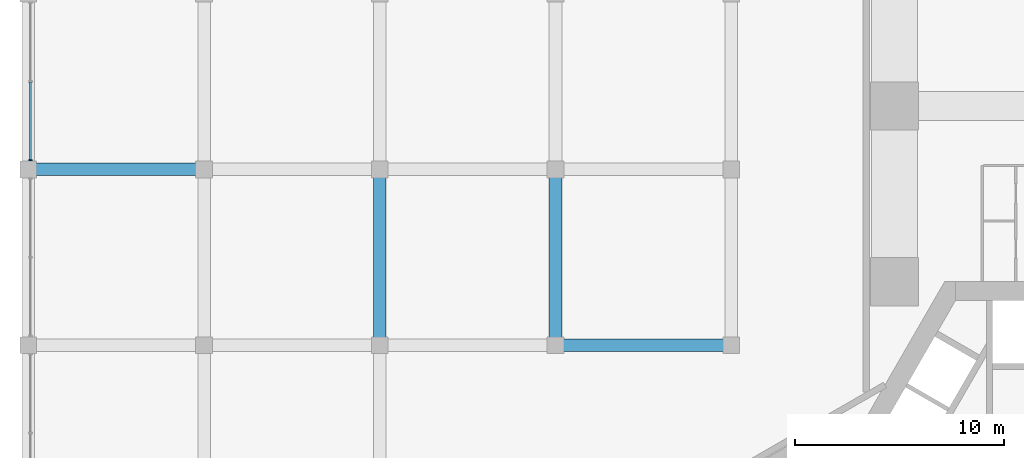
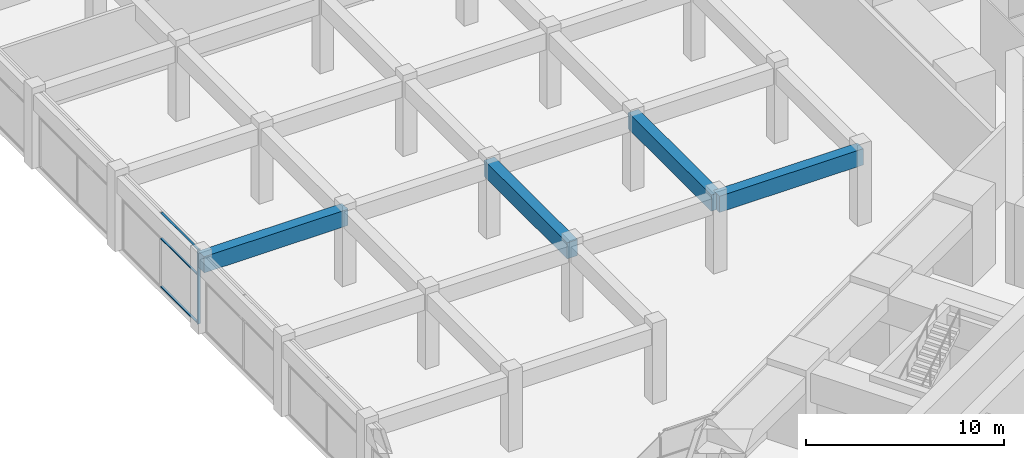
# One storey, part 8 of 33: 4 beams, 4 members, 1 element without a shape of its own.
"""IFC4 building model written with IfcOpenShell, lengths in metres."""

from ifc_helpers import new_model, si_unit, direction, frame, origin, origin_2d, place, context, subcontext, project, spatial, rectangle, extrude, material, material_profile, profile_set, type_object, element, aggregate, save


model = new_model("IFC4")

# Units and contexts
model_context = context("Model", 3, precision=1e-05, world=origin(), true_north=direction((0.0, 1.0)))
body_context = subcontext(model_context, "Body", "Model", "MODEL_VIEW")
ifc_project = project(units=[si_unit("LENGTHUNIT", "METRE"), si_unit("AREAUNIT", "SQUARE_METRE"), si_unit("VOLUMEUNIT", "CUBIC_METRE"), si_unit("PLANEANGLEUNIT", "RADIAN"), si_unit("MASSUNIT", "GRAM", prefix="KILO")], contexts=[model_context])

# Site, building, storey
site_placement = place(None, origin())
site = spatial("IfcSite", under=ifc_project, at=site_placement, CompositionType="ELEMENT")
building_placement = place(site_placement, origin())
building = spatial("IfcBuilding", under=site, at=building_placement, Name="Impinga Residences", CompositionType="ELEMENT")
storey_placement = place(building_placement, frame((0.0, 0.0, 21.0)))
storey = spatial("IfcBuildingStorey", under=building, at=storey_placement, Name="L04", CompositionType="ELEMENT", Elevation=21.0)

# Curtain wall, members
ifc_material_1 = material(Name="Aluminium stick curtain wall", Category="aluminium")
curtain_wall_type = type_object("IfcCurtainWallType", Name="CW1 podium amenity curtain wall", PredefinedType="USERDEFINED", material=ifc_material_1)
curtain_wall_placement = place(storey_placement, origin())
curtain_wall = element("IfcCurtainWall", 1, at=curtain_wall_placement, inside=storey, type_object=curtain_wall_type, Name="Curtain wall CW1 L04", ObjectType="STICK CURTAIN WALL", PredefinedType="USERDEFINED")
ifc_material_2 = material(Name="Aluminium mullion", Category="aluminium")
ifc_material_profile_1 = material_profile(ifc_material_2, rectangle(XDim=0.06005859375, YDim=0.179931640625, at=origin_2d()), Name="60x180 mullion")
ifc_profile_set_1 = profile_set([ifc_material_profile_1], Name="Aluminium mullion")
member_type_1 = type_object("IfcMemberType", Name="CW1-M mullion 60x180", PredefinedType="MULLION", material=ifc_profile_set_1)
member_1_placement = place(storey_placement, frame((-50.300048828125, 17.23291015625, 0.0), z_axis=(0.0, 0.0, 1.0), x_axis=(0.0, 1.0, 0.0)))
member_1 = element("IfcMember", 2, at=member_1_placement, type_object=member_type_1, Name="CW1 mullion 1", PredefinedType="MULLION", context=body_context, shape_type="SweptSolid", body=[
    extrude(rectangle(XDim=0.06005859375, YDim=0.179931640625, at=origin_2d()), origin(), (0.0, 0.0, 1.0), 4.60009765625),
])
ifc_material_3 = material(Name="Aluminium transom", Category="aluminium")
ifc_material_profile_2 = material_profile(ifc_material_3, rectangle(XDim=0.06005859375, YDim=0.1201171875, at=origin_2d()), Name="60x120 transom")
ifc_profile_set_2 = profile_set([ifc_material_profile_2], Name="Aluminium transom")
member_type_2 = type_object("IfcMemberType", Name="CW1-T transom 60x120", PredefinedType="USERDEFINED", material=ifc_profile_set_2)
member_2_placement = place(storey_placement, frame((-50.300048828125, 17.262939453125, 0.030029296875), z_axis=(0.0, 1.0, 0.0), x_axis=(0.0, 0.0, 1.0)))
member_2 = element("IfcMember", 3, at=member_2_placement, type_object=member_type_2, Name="CW1 transom 1.1", ObjectType="TRANSOM", PredefinedType="USERDEFINED", context=body_context, shape_type="SweptSolid", body=[
    extrude(rectangle(XDim=0.06005859375, YDim=0.1201171875, at=origin_2d()), origin(), (0.0, 0.0, 1.0), 3.70703125),
])
member_3_placement = place(storey_placement, frame((-50.300048828125, 17.262939453125, 3.0), z_axis=(0.0, 1.0, 0.0), x_axis=(0.0, 0.0, 1.0)))
member_3 = element("IfcMember", 4, at=member_3_placement, type_object=member_type_2, Name="CW1 transom 1.2", ObjectType="TRANSOM", PredefinedType="USERDEFINED", context=body_context, shape_type="SweptSolid", body=[
    extrude(rectangle(XDim=0.06005859375, YDim=0.1201171875, at=origin_2d()), origin(), (0.0, 0.0, 1.0), 3.70703125),
])
member_4_placement = place(storey_placement, frame((-50.300048828125, 17.262939453125, 4.570068359375), z_axis=(0.0, 1.0, 0.0), x_axis=(0.0, 0.0, 1.0)))
member_4 = element("IfcMember", 5, at=member_4_placement, type_object=member_type_2, Name="CW1 transom 1.3", ObjectType="TRANSOM", PredefinedType="USERDEFINED", context=body_context, shape_type="SweptSolid", body=[
    extrude(rectangle(XDim=0.06005859375, YDim=0.1201171875, at=origin_2d()), origin(), (0.0, 0.0, 1.0), 3.70703125),
])
aggregate(curtain_wall, [member_1, member_2, member_3, member_4])

# Beams
ifc_material_4 = material(Name="Concrete C60/75", Category="concrete")
ifc_material_profile_3 = material_profile(ifc_material_4, rectangle(XDim=0.60009765625, YDim=1.0, at=origin_2d()), Name="RC 600x1000")
ifc_profile_set_3 = profile_set([ifc_material_profile_3], Name="Concrete C60/75")
beam_type = type_object("IfcBeamType", Name="PB2 600x1000 podium beam", PredefinedType="BEAM", material=ifc_profile_set_3)
for number, where, z_axis, x_axis, name in (
    (6, (-25.199951171875, 8.39990234375, 4.10009765625), (1.0, 0.0, 0.0), (0.0, 1.0, 0.0), "Beam PB2 G/4-5 level L05"),
    (7, (-50.39990234375, 16.800048828125, 4.10009765625), (1.0, 0.0, 0.0), (0.0, 1.0, 0.0), "Beam PB2 H/1-2 level L05"),
):
    element("IfcBeam", number, at=place(storey_placement, frame(where, z_axis=z_axis, x_axis=x_axis)), inside=storey, type_object=beam_type, Name=name, PredefinedType="BEAM", context=body_context, shape_type="SweptSolid", body=[
        extrude(rectangle(XDim=0.60009765625, YDim=1.0, at=origin_2d()), origin(), (0.0, 0.0, 1.0), 8.39990234375),
    ])
for number, where, z_axis, x_axis, name in (
    (8, (-33.60009765625, 8.39990234375, 4.10009765625), (0.0, 1.0, 0.0), (-1.0, 0.0, 0.0), "Beam PB2 3/G-H level L05"),
    (9, (-25.199951171875, 8.39990234375, 4.10009765625), (0.0, 1.0, 0.0), (-1.0, 0.0, 0.0), "Beam PB2 4/G-H level L05"),
):
    element("IfcBeam", number, at=place(storey_placement, frame(where, z_axis=z_axis, x_axis=x_axis)), inside=storey, type_object=beam_type, Name=name, PredefinedType="BEAM", context=body_context, shape_type="SweptSolid", body=[
        extrude(rectangle(XDim=0.60009765625, YDim=1.0, at=origin_2d()), origin(), (0.0, 0.0, 1.0), 8.400146484375),
    ])

save(model, "model.ifc")
